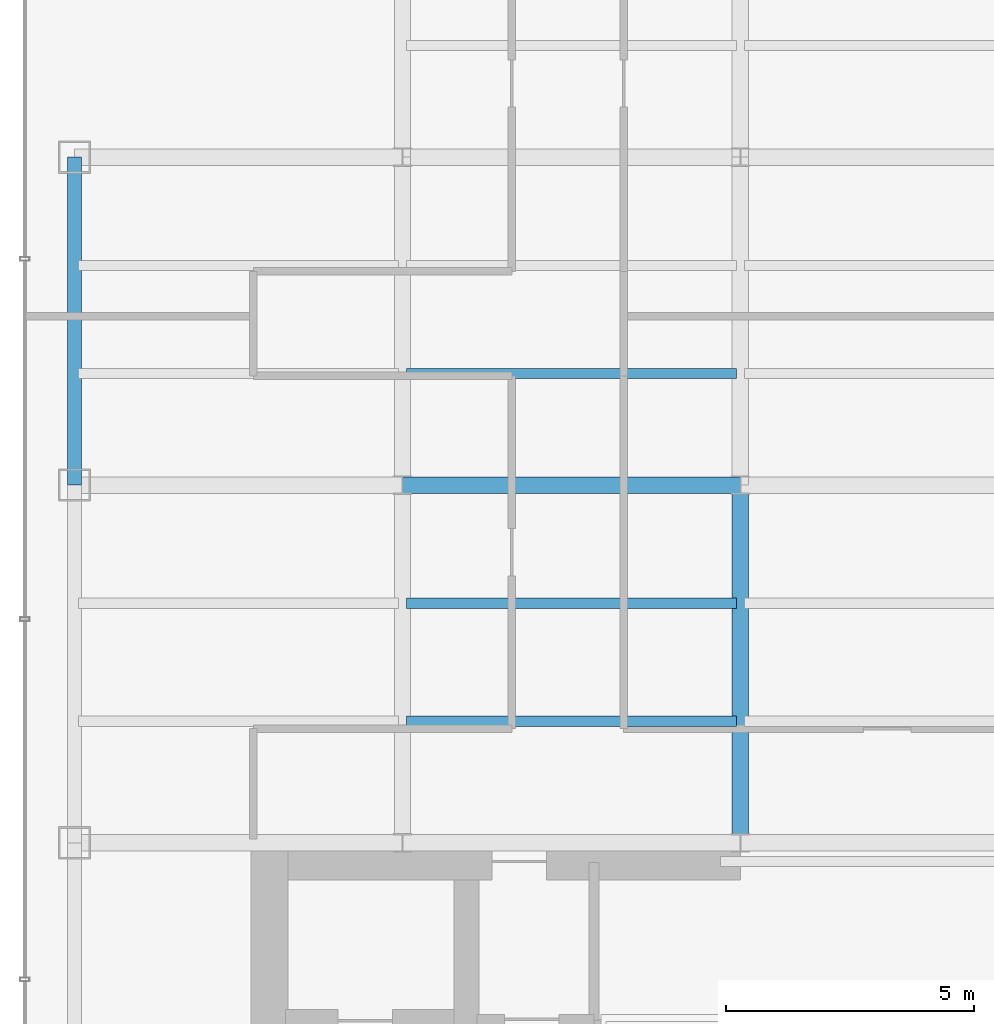
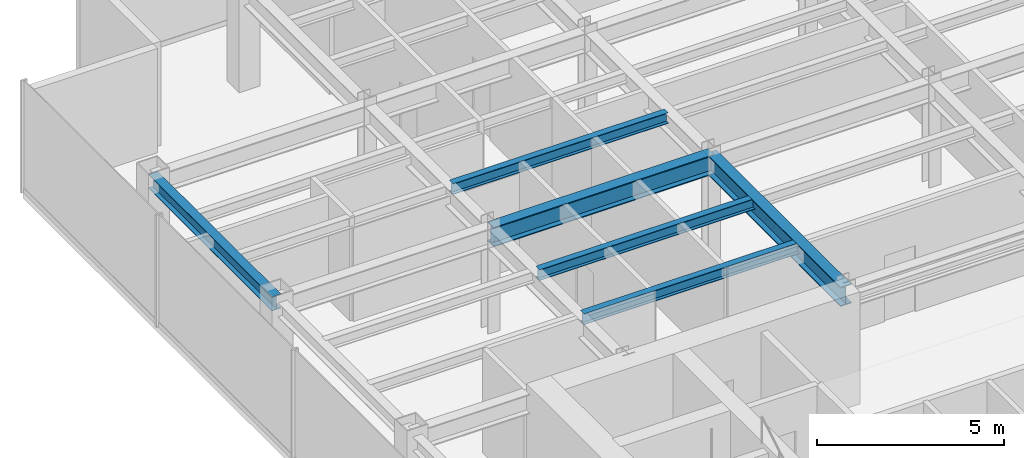
# One storey, part 6 of 25: 6 beams.
"""IFC4 building model written with IfcOpenShell, lengths in metres."""

from ifc_helpers import new_model, si_unit, derived_unit, direction, frame, origin, origin_2d, place, context, subcontext, project, spatial, i_section, extrude, source, transform, mapped, material, material_profile, profile_set, type_object, element, save


model = new_model("IFC4")

# Units and contexts
model_context = context("Model", 3, precision=1e-05, world=origin(), true_north=direction((0.0, 1.0)))
body_context = subcontext(model_context, "Body", "Model", "MODEL_VIEW")
ifc_project = project(units=[si_unit("LENGTHUNIT", "METRE"), si_unit("AREAUNIT", "SQUARE_METRE"), si_unit("VOLUMEUNIT", "CUBIC_METRE"), si_unit("PLANEANGLEUNIT", "RADIAN"), si_unit("MASSUNIT", "GRAM", prefix="KILO"), derived_unit("THERMALTRANSMITTANCEUNIT", [(si_unit("POWERUNIT", "WATT"), 1), (si_unit("LENGTHUNIT", "METRE"), -2), (si_unit("THERMODYNAMICTEMPERATUREUNIT", "KELVIN"), -1)])], contexts=[model_context])

# Site, building, storey
site_placement = place(None, origin())
site = spatial("IfcSite", under=ifc_project, at=site_placement, CompositionType="ELEMENT")
building_placement = place(site_placement, origin())
building = spatial("IfcBuilding", under=site, at=building_placement, Name="Skarnbrae Concourse Arena and Tower", CompositionType="ELEMENT")
storey_placement = place(building_placement, frame((0.0, 0.0, 169.800048828125)))
storey = spatial("IfcBuildingStorey", under=building, at=storey_placement, Name="L43", CompositionType="ELEMENT", Elevation=169.800048828125)

# Beams
ifc_material = material(Name="Steel CSA G40.21 350W", Category="steel")
ifc_material_profile_1 = material_profile(ifc_material, i_section(OverallWidth=0.3291015625, OverallDepth=0.635009765625, WebThickness=0.017822265625, FlangeThickness=0.031005859375, at=origin_2d()), Name="W610X241")
ifc_profile_set_1 = profile_set([ifc_material_profile_1], Name="Steel CSA G40.21 350W")
beam_type_1 = type_object("IfcBeamType", Name="BM-GIRD-W610X241", PredefinedType="BEAM", material=ifc_profile_set_1)
shared_shape_1 = source(origin(), body_context, "Body", "SweptSolid", [
    extrude(i_section(OverallWidth=0.3291015625, OverallDepth=0.635009765625, WebThickness=0.017822265625, FlangeThickness=0.031005859375, at=origin_2d()), origin(), (0.0, 0.0, 1.0), 6.7998046875),
])
beam_1_placement = place(storey_placement, frame((7.60009765625, 21.199951171875, 3.08251953125), z_axis=(1.0, 0.0, 0.0), x_axis=(0.0, 1.0, 0.0)))
element("IfcBeam", 1, at=beam_1_placement, inside=storey, type_object=beam_type_1, Name="L43 Primary E-W girder Y21.2-2", PredefinedType="BEAM", context=body_context, shape_type="MappedRepresentation", body=[
    mapped(shared_shape_1, transform((0.0, 0.0, 0.0))),
])
ifc_material_profile_2 = material_profile(ifc_material, i_section(OverallWidth=0.280029296875, OverallDepth=0.462890625, WebThickness=0.0107421875, FlangeThickness=0.017333984375, at=origin_2d()), Name="W460X113")
ifc_profile_set_2 = profile_set([ifc_material_profile_2], Name="Steel CSA G40.21 350W")
beam_type_2 = type_object("IfcBeamType", Name="BM-SPAN-W460X113", PredefinedType="SPANDREL", material=ifc_profile_set_2)
shared_shape_2 = source(origin(), body_context, "Body", "SweptSolid", [
    extrude(i_section(OverallWidth=0.280029296875, OverallDepth=0.462890625, WebThickness=0.0107421875, FlangeThickness=0.017333984375, at=origin_2d()), origin(), (0.0, 0.0, 1.0), 6.60009765625),
])
beam_2_placement = place(storey_placement, frame((1.0, 21.199951171875, 3.16845703125), z_axis=(0.0, 1.0, 0.0), x_axis=(-1.0, 0.0, 0.0)))
element("IfcBeam", 2, at=beam_2_placement, inside=storey, type_object=beam_type_2, Name="L43 Perimeter spandrel X1.0-3", PredefinedType="SPANDREL", context=body_context, shape_type="MappedRepresentation", body=[
    mapped(shared_shape_2, transform((0.0, 0.0, 0.0))),
])
shared_shape_3 = source(origin(), body_context, "Body", "SweptSolid", [
    extrude(i_section(OverallWidth=0.3291015625, OverallDepth=0.635009765625, WebThickness=0.017822265625, FlangeThickness=0.031005859375, at=origin_2d()), origin(), (0.0, 0.0, 1.0), 7.199951171875),
])
beam_3_placement = place(storey_placement, frame((14.39990234375, 14.0, 3.08251953125), z_axis=(0.0, 1.0, 0.0), x_axis=(-1.0, 0.0, 0.0)))
element("IfcBeam", 3, at=beam_3_placement, inside=storey, type_object=beam_type_1, Name="L43 Primary N-S girder X14.4-1", PredefinedType="BEAM", context=body_context, shape_type="MappedRepresentation", body=[
    mapped(shared_shape_3, transform((0.0, 0.0, 0.0))),
])
ifc_material_profile_3 = material_profile(ifc_material, i_section(OverallWidth=0.205078125, OverallDepth=0.35400390625, WebThickness=0.009521484375, FlangeThickness=0.016845703125, at=origin_2d()), Name="W360X79")
ifc_profile_set_3 = profile_set([ifc_material_profile_3], Name="Steel CSA G40.21 350W")
beam_type_3 = type_object("IfcBeamType", Name="BM-JOIST-W360X79", PredefinedType="JOIST", material=ifc_profile_set_3)
shared_shape_4 = source(origin(), body_context, "Body", "SweptSolid", [
    extrude(i_section(OverallWidth=0.205078125, OverallDepth=0.35400390625, WebThickness=0.009521484375, FlangeThickness=0.016845703125, at=origin_2d()), origin(), (0.0, 0.0, 1.0), 6.64013671875),
])
for number, where, z_axis, x_axis, name in (
    (4, (7.679931640625, 16.447998046875, 3.222900390625), (1.0, 0.0, 0.0), (0.0, 1.0, 0.0), "L43 Secondary floor joist 1.1.2"),
    (5, (7.679931640625, 18.823974609375, 3.222900390625), (1.0, 0.0, 0.0), (0.0, 1.0, 0.0), "L43 Secondary floor joist 1.2.2"),
    (6, (7.679931640625, 23.444091796875, 3.222900390625), (1.0, 0.0, 0.0), (0.0, 1.0, 0.0), "L43 Secondary floor joist 2.1.2"),
):
    element("IfcBeam", number, at=place(storey_placement, frame(where, z_axis=z_axis, x_axis=x_axis)), inside=storey, type_object=beam_type_3, Name=name, PredefinedType="JOIST", context=body_context, shape_type="MappedRepresentation", body=[
        mapped(shared_shape_4, transform((0.0, 0.0, 0.0))),
    ])

save(model, "model.ifc")
